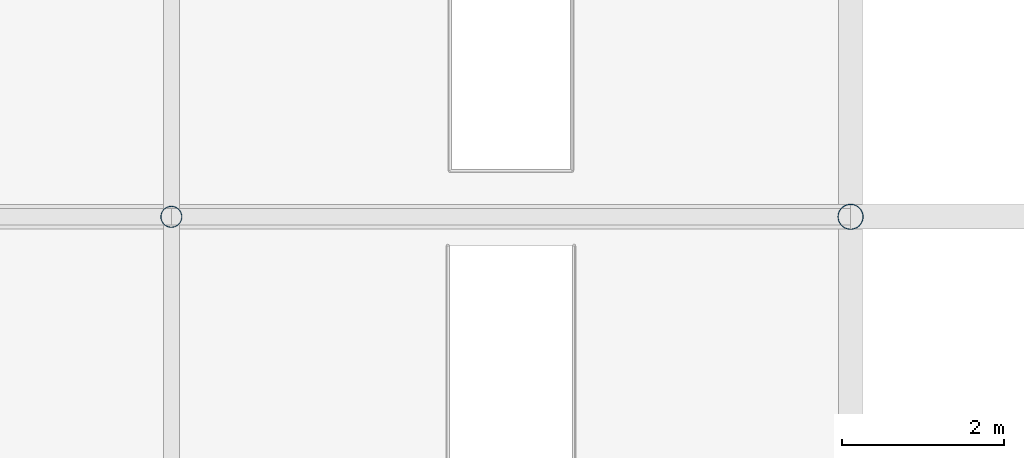
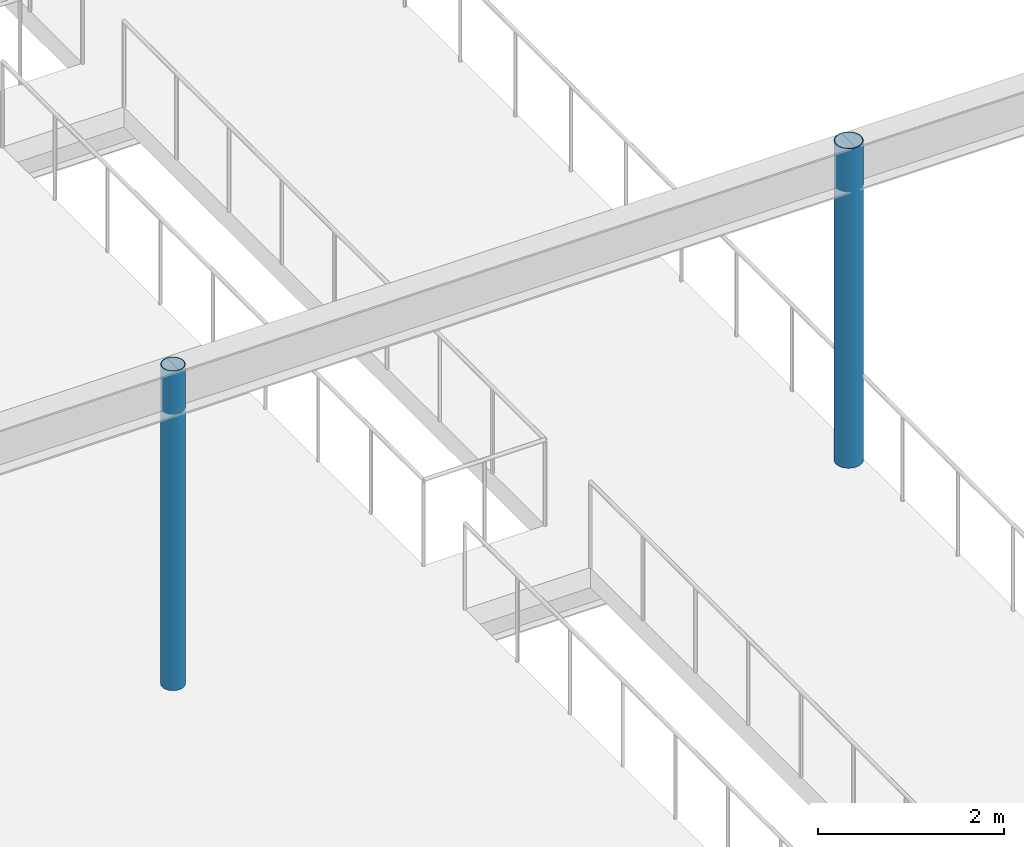
# One storey, part 12 of 218: 2 columns.
"""IFC4 building model written with IfcOpenShell, lengths in metres."""

from ifc_helpers import new_model, si_unit, direction, frame, origin, origin_2d, place, context, subcontext, project, spatial, hollow_circle, extrude, material, material_profile, profile_set, type_object, element, save


model = new_model("IFC4")

# Units and contexts
model_context = context("Model", 3, precision=1e-05, world=origin(), true_north=direction((0.0, 1.0)))
body_context = subcontext(model_context, "Body", "Model", "MODEL_VIEW")
ifc_project = project(units=[si_unit("LENGTHUNIT", "METRE"), si_unit("AREAUNIT", "SQUARE_METRE"), si_unit("VOLUMEUNIT", "CUBIC_METRE"), si_unit("PLANEANGLEUNIT", "RADIAN"), si_unit("MASSUNIT", "GRAM", prefix="KILO")], contexts=[model_context])

# Site, building, storey
site_placement = place(None, origin())
site = spatial("IfcSite", under=ifc_project, at=site_placement, CompositionType="ELEMENT")
building_placement = place(site_placement, origin())
building = spatial("IfcBuilding", under=site, at=building_placement, Name="Kazenagashi Tramway Depot", CompositionType="ELEMENT")
storey_placement = place(building_placement, frame((0.0, 0.0, 6.0)))
storey = spatial("IfcBuildingStorey", under=building, at=storey_placement, Name="L02", CompositionType="ELEMENT", Elevation=6.0)

# Columns
ifc_material = material(Name="Steel STK490", Category="steel")
ifc_material_profile_1 = material_profile(ifc_material, hollow_circle(Radius=0.1337, WallThickness=0.0093, at=origin_2d()), Name="CHS-267.4x9.3")
ifc_profile_set_1 = profile_set([ifc_material_profile_1], Name="Steel STK490")
column_type_1 = type_object("IfcColumnType", Name="C-14", PredefinedType="COLUMN", material=ifc_profile_set_1)
column_1_placement = place(storey_placement, frame((53.2, 100.0, 0.0), z_axis=(0.0, 0.0, 1.0), x_axis=(1.0, 0.0, 0.0)))
element("IfcColumn", 1, at=column_1_placement, inside=storey, type_object=column_type_1, Name="Column C-14 COL-0010", PredefinedType="COLUMN", context=body_context, shape_type="SweptSolid", body=[
    extrude(hollow_circle(Radius=0.1337, WallThickness=0.0093, at=origin_2d()), origin(), (0.0, 0.0, 1.0), 4.2),
])
ifc_material_profile_2 = material_profile(ifc_material, hollow_circle(Radius=0.15925, WallThickness=0.0103, at=origin_2d()), Name="CHS-318.5x10.3")
ifc_profile_set_2 = profile_set([ifc_material_profile_2], Name="Steel STK490")
column_type_2 = type_object("IfcColumnType", Name="C-18", PredefinedType="COLUMN", material=ifc_profile_set_2)
column_2_placement = place(storey_placement, frame((61.6, 100.0, 0.0), z_axis=(0.0, 0.0, 1.0), x_axis=(1.0, 0.0, 0.0)))
element("IfcColumn", 2, at=column_2_placement, inside=storey, type_object=column_type_2, Name="Column C-18 COL-0016", PredefinedType="COLUMN", context=body_context, shape_type="SweptSolid", body=[
    extrude(hollow_circle(Radius=0.15925, WallThickness=0.0103, at=origin_2d()), origin(), (0.0, 0.0, 1.0), 4.2),
])

save(model, "model.ifc")
